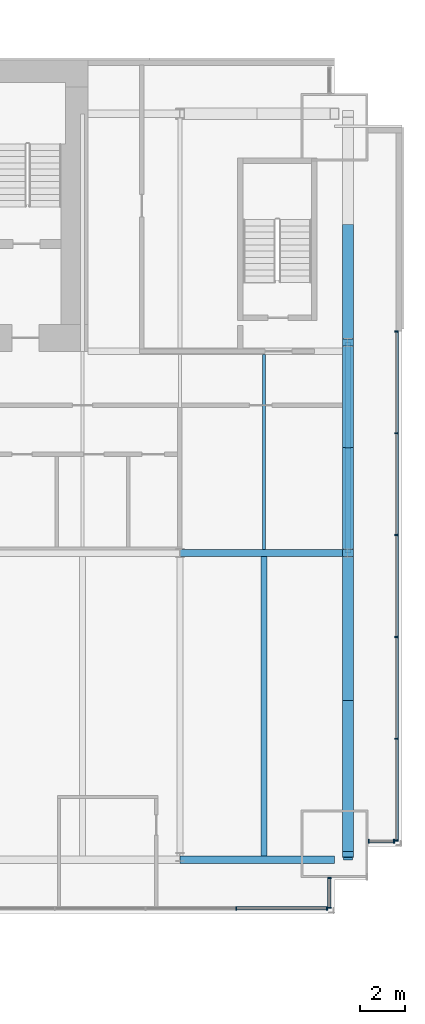
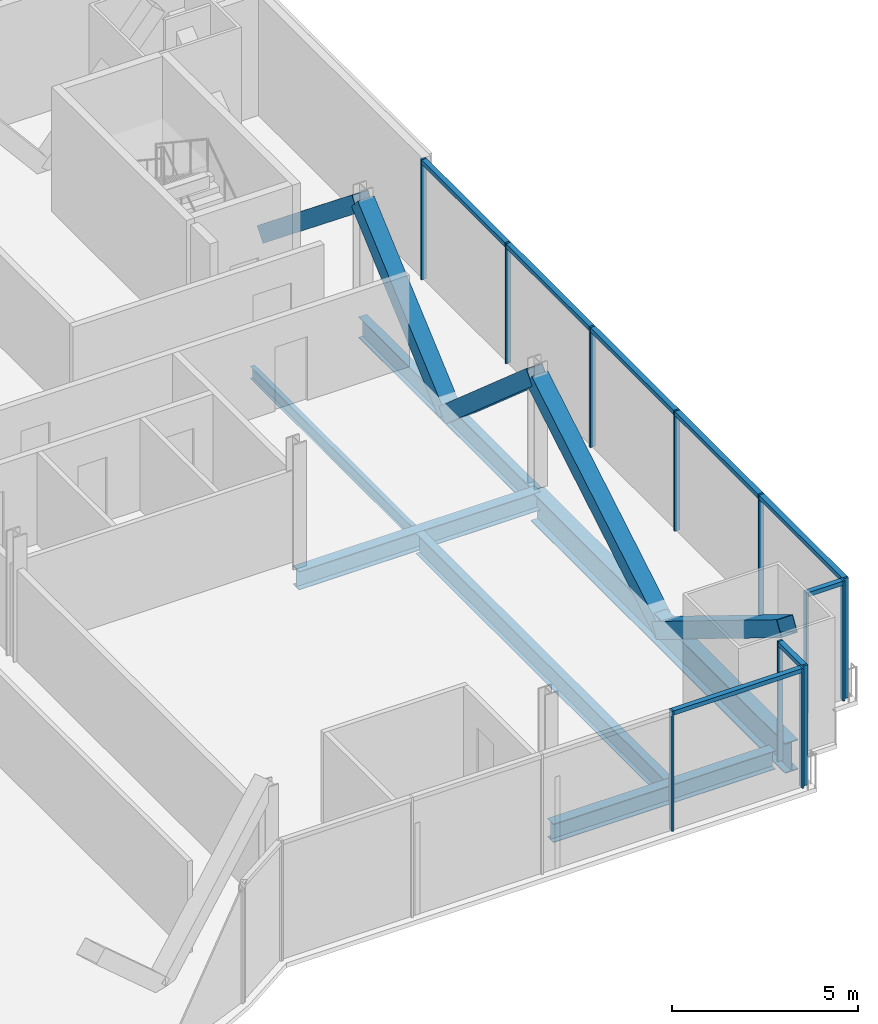
# One storey, part 12 of 21: 25 members, 6 beams, 4 elements without a shape of their own.
"""IFC4 building model written with IfcOpenShell, lengths in metres."""

from ifc_helpers import new_model, si_unit, direction, frame, origin, origin_2d, place, context, subcontext, project, spatial, rectangle, hollow_rectangle, i_section, extrude, material, material_profile, profile_set, type_object, element, aggregate, save


model = new_model("IFC4")

# Units and contexts
model_context = context("Model", 3, precision=1e-05, world=origin(), true_north=direction((0.0, 1.0)))
body_context = subcontext(model_context, "Body", "Model", "MODEL_VIEW")
ifc_project = project(units=[si_unit("LENGTHUNIT", "METRE"), si_unit("AREAUNIT", "SQUARE_METRE"), si_unit("VOLUMEUNIT", "CUBIC_METRE"), si_unit("PLANEANGLEUNIT", "RADIAN"), si_unit("MASSUNIT", "GRAM", prefix="KILO")], contexts=[model_context])

# Site, building, storey
site_placement = place(None, origin())
site = spatial("IfcSite", under=ifc_project, at=site_placement, CompositionType="ELEMENT")
building_placement = place(site_placement, origin())
building = spatial("IfcBuilding", under=site, at=building_placement, Name="Bicima Exchange Tower", CompositionType="ELEMENT")
storey_placement = place(building_placement, frame((0.0, 0.0, 106.300048828125)))
storey = spatial("IfcBuildingStorey", under=building, at=storey_placement, Name="L22", CompositionType="ELEMENT", Elevation=106.300048828125)

# Curtain wall, members
ifc_material_1 = material(Name="Anodised bronze aluminium", Category="aluminium")
curtain_wall_type_1 = type_object("IfcCurtainWallType", Name="End face glass wall", PredefinedType="NOTDEFINED", material=ifc_material_1)
curtain_wall_1_placement = place(storey_placement, origin())
curtain_wall_1 = element("IfcCurtainWall", 1, at=curtain_wall_1_placement, inside=storey, type_object=curtain_wall_type_1, Name="End face glass wall L22 run 19", PredefinedType="NOTDEFINED")
ifc_material_profile_1 = material_profile(ifc_material_1, rectangle(XDim=0.159912109375, YDim=0.06005859375, at=origin_2d()))
ifc_profile_set_1 = profile_set([ifc_material_profile_1], Name="Anodised bronze aluminium")
member_type_1 = type_object("IfcMemberType", Name="End face glass wall mullion 60 x 160", PredefinedType="MULLION", material=ifc_profile_set_1)
member_1_placement = place(storey_placement, frame((35.77001953125, -34.8359375, 0.0), z_axis=(0.0, 0.0, 1.0), x_axis=(-1.0, 0.0, 0.0)))
member_1 = element("IfcMember", 2, at=member_1_placement, type_object=member_type_1, Name="End face glass wall mullion 1", PredefinedType="MULLION", context=body_context, shape_type="SweptSolid", body=[
    extrude(rectangle(XDim=0.159912109375, YDim=0.06005859375, at=origin_2d()), origin(), (0.0, 0.0, 1.0), 3.949951171875),
])
member_2_placement = place(storey_placement, frame((35.77001953125, -30.290771484375, 0.0), z_axis=(0.0, 0.0, 1.0), x_axis=(-1.0, 0.0, 0.0)))
member_2 = element("IfcMember", 3, at=member_2_placement, type_object=member_type_1, Name="End face glass wall mullion 2", PredefinedType="MULLION", context=body_context, shape_type="SweptSolid", body=[
    extrude(rectangle(XDim=0.159912109375, YDim=0.06005859375, at=origin_2d()), origin(), (0.0, 0.0, 1.0), 3.949951171875),
])
member_3_placement = place(storey_placement, frame((35.77001953125, -25.74560546875, 0.0), z_axis=(0.0, 0.0, 1.0), x_axis=(-1.0, 0.0, 0.0)))
member_3 = element("IfcMember", 4, at=member_3_placement, type_object=member_type_1, Name="End face glass wall mullion 3", PredefinedType="MULLION", context=body_context, shape_type="SweptSolid", body=[
    extrude(rectangle(XDim=0.159912109375, YDim=0.06005859375, at=origin_2d()), origin(), (0.0, 0.0, 1.0), 3.949951171875),
])
member_4_placement = place(storey_placement, frame((35.77001953125, -21.200439453125, 0.0), z_axis=(0.0, 0.0, 1.0), x_axis=(-1.0, 0.0, 0.0)))
member_4 = element("IfcMember", 5, at=member_4_placement, type_object=member_type_1, Name="End face glass wall mullion 4", PredefinedType="MULLION", context=body_context, shape_type="SweptSolid", body=[
    extrude(rectangle(XDim=0.159912109375, YDim=0.06005859375, at=origin_2d()), origin(), (0.0, 0.0, 1.0), 3.949951171875),
])
member_5_placement = place(storey_placement, frame((35.77001953125, -16.6552734375, 0.0), z_axis=(0.0, 0.0, 1.0), x_axis=(-1.0, 0.0, 0.0)))
member_5 = element("IfcMember", 6, at=member_5_placement, type_object=member_type_1, Name="End face glass wall mullion 5", PredefinedType="MULLION", context=body_context, shape_type="SweptSolid", body=[
    extrude(rectangle(XDim=0.159912109375, YDim=0.06005859375, at=origin_2d()), origin(), (0.0, 0.0, 1.0), 3.949951171875),
])
member_6_placement = place(storey_placement, frame((35.77001953125, -12.110107421875, 0.0), z_axis=(0.0, 0.0, 1.0), x_axis=(-1.0, 0.0, 0.0)))
member_6 = element("IfcMember", 7, at=member_6_placement, type_object=member_type_1, Name="End face glass wall mullion 6", PredefinedType="MULLION", context=body_context, shape_type="SweptSolid", body=[
    extrude(rectangle(XDim=0.159912109375, YDim=0.06005859375, at=origin_2d()), origin(), (0.0, 0.0, 1.0), 3.949951171875),
])
ifc_material_profile_2 = material_profile(ifc_material_1, rectangle(XDim=0.159912109375, YDim=0.139892578125, at=origin_2d()))
ifc_profile_set_2 = profile_set([ifc_material_profile_2], Name="Anodised bronze aluminium")
member_type_2 = type_object("IfcMemberType", Name="End face glass wall transom 140 x 160", PredefinedType="USERDEFINED", material=ifc_profile_set_2)
member_7_placement = place(storey_placement, frame((35.77001953125, -34.805908203125, 3.8798828125), z_axis=(0.0, 1.0, 0.0), x_axis=(-1.0, 0.0, 0.0)))
member_7 = element("IfcMember", 8, at=member_7_placement, type_object=member_type_2, Name="End face glass wall transom 1.1", ObjectType="TRANSOM", PredefinedType="USERDEFINED", context=body_context, shape_type="SweptSolid", body=[
    extrude(rectangle(XDim=0.159912109375, YDim=0.139892578125, at=origin_2d()), origin(), (0.0, 0.0, 1.0), 4.485107421875),
])
member_8_placement = place(storey_placement, frame((35.77001953125, -30.2607421875, 3.8798828125), z_axis=(0.0, 1.0, 0.0), x_axis=(-1.0, 0.0, 0.0)))
member_8 = element("IfcMember", 9, at=member_8_placement, type_object=member_type_2, Name="End face glass wall transom 2.1", ObjectType="TRANSOM", PredefinedType="USERDEFINED", context=body_context, shape_type="SweptSolid", body=[
    extrude(rectangle(XDim=0.159912109375, YDim=0.139892578125, at=origin_2d()), origin(), (0.0, 0.0, 1.0), 4.485107421875),
])
member_9_placement = place(storey_placement, frame((35.77001953125, -25.715576171875, 3.8798828125), z_axis=(0.0, 1.0, 0.0), x_axis=(-1.0, 0.0, 0.0)))
member_9 = element("IfcMember", 10, at=member_9_placement, type_object=member_type_2, Name="End face glass wall transom 3.1", ObjectType="TRANSOM", PredefinedType="USERDEFINED", context=body_context, shape_type="SweptSolid", body=[
    extrude(rectangle(XDim=0.159912109375, YDim=0.139892578125, at=origin_2d()), origin(), (0.0, 0.0, 1.0), 4.485107421875),
])
member_10_placement = place(storey_placement, frame((35.77001953125, -21.17041015625, 3.8798828125), z_axis=(0.0, 1.0, 0.0), x_axis=(-1.0, 0.0, 0.0)))
member_10 = element("IfcMember", 11, at=member_10_placement, type_object=member_type_2, Name="End face glass wall transom 4.1", ObjectType="TRANSOM", PredefinedType="USERDEFINED", context=body_context, shape_type="SweptSolid", body=[
    extrude(rectangle(XDim=0.159912109375, YDim=0.139892578125, at=origin_2d()), origin(), (0.0, 0.0, 1.0), 4.485107421875),
])
member_11_placement = place(storey_placement, frame((35.77001953125, -16.625244140625, 3.8798828125), z_axis=(0.0, 1.0, 0.0), x_axis=(-1.0, 0.0, 0.0)))
member_11 = element("IfcMember", 12, at=member_11_placement, type_object=member_type_2, Name="End face glass wall transom 5.1", ObjectType="TRANSOM", PredefinedType="USERDEFINED", context=body_context, shape_type="SweptSolid", body=[
    extrude(rectangle(XDim=0.159912109375, YDim=0.139892578125, at=origin_2d()), origin(), (0.0, 0.0, 1.0), 4.4853515625),
])
aggregate(curtain_wall_1, [member_1, member_2, member_3, member_4, member_5, member_6, member_7, member_8, member_9, member_10, member_11])

# Beams
ifc_material_2 = material(Name="Steel ASTM A992 Gr 50", Category="steel")
ifc_material_profile_3 = material_profile(ifc_material_2, i_section(OverallWidth=0.256591796875, OverallDepth=0.693359375, WebThickness=0.014404296875, FlangeThickness=0.023681640625, at=origin_2d()))
ifc_profile_set_3 = profile_set([ifc_material_profile_3], Name="Steel ASTM A992 Gr 50")
beam_type_1 = type_object("IfcBeamType", Name="End girder W27x114", PredefinedType="BEAM", material=ifc_profile_set_3)
beam_1_placement = place(storey_placement, frame((33.60009765625, -12.60009765625, -0.496826171875), z_axis=(0.0, -1.0, 0.0), x_axis=(1.0, 0.0, 0.0)))
element("IfcBeam", 13, at=beam_1_placement, inside=storey, type_object=beam_type_1, Name="End girder", PredefinedType="BEAM", context=body_context, shape_type="SweptSolid", body=[
    extrude(i_section(OverallWidth=0.256591796875, OverallDepth=0.693359375, WebThickness=0.014404296875, FlangeThickness=0.023681640625, at=origin_2d()), origin(), (0.0, 0.0, 1.0), 9.39990234375),
])
ifc_material_profile_4 = material_profile(ifc_material_2, i_section(OverallWidth=0.4013671875, OverallDepth=0.990478515625, WebThickness=0.0166015625, FlangeThickness=0.031005859375, at=origin_2d()))
ifc_profile_set_4 = profile_set([ifc_material_profile_4], Name="Steel ASTM A992 Gr 50")
beam_type_2 = type_object("IfcBeamType", Name="End girder W40x215", PredefinedType="BEAM", material=ifc_profile_set_4)
beam_2_placement = place(storey_placement, frame((33.60009765625, -22.0, -0.645263671875), z_axis=(0.0, -1.0, 0.0), x_axis=(1.0, 0.0, 0.0)))
element("IfcBeam", 14, at=beam_2_placement, inside=storey, type_object=beam_type_2, Name="End girder", PredefinedType="BEAM", context=body_context, shape_type="SweptSolid", body=[
    extrude(i_section(OverallWidth=0.4013671875, OverallDepth=0.990478515625, WebThickness=0.0166015625, FlangeThickness=0.031005859375, at=origin_2d()), origin(), (0.0, 0.0, 1.0), 13.696044921875),
])
ifc_material_profile_5 = material_profile(ifc_material_2, i_section(OverallWidth=0.140380859375, OverallDepth=0.40380859375, WebThickness=0.007080078125, FlangeThickness=0.01123046875, at=origin_2d()))
ifc_profile_set_5 = profile_set([ifc_material_profile_5], Name="Steel ASTM A992 Gr 50")
beam_type_3 = type_object("IfcBeamType", Name="Floor beam W16x31", PredefinedType="JOIST", material=ifc_profile_set_5)
beam_3_placement = place(storey_placement, frame((29.85009765625, -13.15234375, -0.35205078125), z_axis=(0.0, -1.0, 0.0), x_axis=(1.0, 0.0, 0.0)))
element("IfcBeam", 15, at=beam_3_placement, inside=storey, type_object=beam_type_3, Name="Floor beam", PredefinedType="JOIST", context=body_context, shape_type="SweptSolid", body=[
    extrude(i_section(OverallWidth=0.140380859375, OverallDepth=0.40380859375, WebThickness=0.007080078125, FlangeThickness=0.01123046875, at=origin_2d()), origin(), (0.0, 0.0, 1.0), 8.68505859375),
])
ifc_material_profile_6 = material_profile(ifc_material_2, i_section(OverallWidth=0.25390625, OverallDepth=0.67822265625, WebThickness=0.01171875, FlangeThickness=0.016357421875, at=origin_2d()))
ifc_profile_set_6 = profile_set([ifc_material_profile_6], Name="Steel ASTM A992 Gr 50")
beam_type_4 = type_object("IfcBeamType", Name="Floor beam W27x84", PredefinedType="JOIST", material=ifc_profile_set_6)
beam_4_placement = place(storey_placement, frame((29.85009765625, -22.16259765625, -0.4892578125), z_axis=(0.0, -1.0, 0.0), x_axis=(1.0, 0.0, 0.0)))
element("IfcBeam", 16, at=beam_4_placement, inside=storey, type_object=beam_type_4, Name="Floor beam", PredefinedType="JOIST", context=body_context, shape_type="SweptSolid", body=[
    extrude(i_section(OverallWidth=0.25390625, OverallDepth=0.67822265625, WebThickness=0.01171875, FlangeThickness=0.016357421875, at=origin_2d()), origin(), (0.0, 0.0, 1.0), 13.370849609375),
])
ifc_material_profile_7 = material_profile(ifc_material_2, i_section(OverallWidth=0.3251953125, OverallDepth=0.612060546875, WebThickness=0.0126953125, FlangeThickness=0.01904296875, at=origin_2d()))
ifc_profile_set_7 = profile_set([ifc_material_profile_7], Name="Steel ASTM A992 Gr 50")
beam_type_5 = type_object("IfcBeamType", Name="Front girder W24x104", PredefinedType="BEAM", material=ifc_profile_set_7)
beam_5_placement = place(storey_placement, frame((26.10009765625, -35.696044921875, -0.4560546875), z_axis=(1.0, 0.0, 0.0), x_axis=(0.0, 1.0, 0.0)))
element("IfcBeam", 17, at=beam_5_placement, inside=storey, type_object=beam_type_5, Name="Front girder", PredefinedType="BEAM", context=body_context, shape_type="SweptSolid", body=[
    extrude(i_section(OverallWidth=0.3251953125, OverallDepth=0.612060546875, WebThickness=0.0126953125, FlangeThickness=0.01904296875, at=origin_2d()), origin(), (0.0, 0.0, 1.0), 6.89990234375),
])

# Curtain wall, members
curtain_wall_type_2 = type_object("IfcCurtainWallType", Name="Front glass wall", PredefinedType="NOTDEFINED", material=ifc_material_1)
curtain_wall_2_placement = place(storey_placement, origin())
curtain_wall_2 = element("IfcCurtainWall", 18, at=curtain_wall_2_placement, inside=storey, type_object=curtain_wall_type_2, Name="Front glass wall L22 run 16", PredefinedType="NOTDEFINED")
member_type_3 = type_object("IfcMemberType", Name="Front glass wall mullion 60 x 160", PredefinedType="MULLION", material=ifc_profile_set_1)
member_12_placement = place(storey_placement, frame((28.610595703125, -37.865966796875, 0.0), z_axis=(0.0, 0.0, 1.0), x_axis=(0.0, 1.0, 0.0)))
member_12 = element("IfcMember", 19, at=member_12_placement, type_object=member_type_3, Name="Front glass wall mullion 4", PredefinedType="MULLION", context=body_context, shape_type="SweptSolid", body=[
    extrude(rectangle(XDim=0.159912109375, YDim=0.06005859375, at=origin_2d()), origin(), (0.0, 0.0, 1.0), 3.949951171875),
])
member_13_placement = place(storey_placement, frame((32.659912109375, -37.865966796875, 0.0), z_axis=(0.0, 0.0, 1.0), x_axis=(0.0, 1.0, 0.0)))
member_13 = element("IfcMember", 20, at=member_13_placement, type_object=member_type_3, Name="Front glass wall mullion 5", PredefinedType="MULLION", context=body_context, shape_type="SweptSolid", body=[
    extrude(rectangle(XDim=0.159912109375, YDim=0.06005859375, at=origin_2d()), origin(), (0.0, 0.0, 1.0), 3.949951171875),
])

curtain_wall_3_placement = place(storey_placement, origin())
curtain_wall_3 = element("IfcCurtainWall", 21, at=curtain_wall_3_placement, inside=storey, type_object=curtain_wall_type_2, Name="Front glass wall L22 run 17", PredefinedType="NOTDEFINED")
member_14_placement = place(storey_placement, frame((32.77001953125, -37.8359375, 0.0), z_axis=(0.0, 0.0, 1.0), x_axis=(-1.0, 0.0, 0.0)))
member_14 = element("IfcMember", 22, at=member_14_placement, type_object=member_type_3, Name="Front glass wall mullion 1", PredefinedType="MULLION", context=body_context, shape_type="SweptSolid", body=[
    extrude(rectangle(XDim=0.159912109375, YDim=0.06005859375, at=origin_2d()), origin(), (0.0, 0.0, 1.0), 3.949951171875),
])
member_15_placement = place(storey_placement, frame((32.77001953125, -36.50390625, 0.0), z_axis=(0.0, 0.0, 1.0), x_axis=(-1.0, 0.0, 0.0)))
member_15 = element("IfcMember", 23, at=member_15_placement, type_object=member_type_3, Name="Front glass wall mullion 2", PredefinedType="MULLION", context=body_context, shape_type="SweptSolid", body=[
    extrude(rectangle(XDim=0.159912109375, YDim=0.06005859375, at=origin_2d()), origin(), (0.0, 0.0, 1.0), 3.949951171875),
])

curtain_wall_4_placement = place(storey_placement, origin())
curtain_wall_4 = element("IfcCurtainWall", 24, at=curtain_wall_4_placement, inside=storey, type_object=curtain_wall_type_2, Name="Front glass wall L22 run 18", PredefinedType="NOTDEFINED")
member_16_placement = place(storey_placement, frame((34.530029296875, -34.865966796875, 0.0), z_axis=(0.0, 0.0, 1.0), x_axis=(0.0, 1.0, 0.0)))
member_16 = element("IfcMember", 25, at=member_16_placement, type_object=member_type_3, Name="Front glass wall mullion 1", PredefinedType="MULLION", context=body_context, shape_type="SweptSolid", body=[
    extrude(rectangle(XDim=0.159912109375, YDim=0.06005859375, at=origin_2d()), origin(), (0.0, 0.0, 1.0), 3.949951171875),
])
member_17_placement = place(storey_placement, frame((35.659912109375, -34.865966796875, 0.0), z_axis=(0.0, 0.0, 1.0), x_axis=(0.0, 1.0, 0.0)))
member_17 = element("IfcMember", 26, at=member_17_placement, type_object=member_type_3, Name="Front glass wall mullion 2", PredefinedType="MULLION", context=body_context, shape_type="SweptSolid", body=[
    extrude(rectangle(XDim=0.159912109375, YDim=0.06005859375, at=origin_2d()), origin(), (0.0, 0.0, 1.0), 3.949951171875),
])

# Member
member_type_4 = type_object("IfcMemberType", Name="Front glass wall transom 140 x 160", PredefinedType="USERDEFINED", material=ifc_profile_set_2)
member_18_placement = place(storey_placement, frame((28.640380859375, -37.865966796875, 3.8798828125), z_axis=(1.0, 0.0, 0.0), x_axis=(0.0, 1.0, 0.0)))
member_18 = element("IfcMember", 27, at=member_18_placement, type_object=member_type_4, Name="Front glass wall transom 4.1", ObjectType="TRANSOM", PredefinedType="USERDEFINED", context=body_context, shape_type="SweptSolid", body=[
    extrude(rectangle(XDim=0.159912109375, YDim=0.139892578125, at=origin_2d()), origin(), (0.0, 0.0, 1.0), 3.989501953125),
])

aggregate(curtain_wall_2, [member_12, member_13, member_18])

member_19_placement = place(storey_placement, frame((32.77001953125, -37.805908203125, 3.8798828125), z_axis=(0.0, 1.0, 0.0), x_axis=(-1.0, 0.0, 0.0)))
member_19 = element("IfcMember", 28, at=member_19_placement, type_object=member_type_4, Name="Front glass wall transom 1.1", ObjectType="TRANSOM", PredefinedType="USERDEFINED", context=body_context, shape_type="SweptSolid", body=[
    extrude(rectangle(XDim=0.159912109375, YDim=0.139892578125, at=origin_2d()), origin(), (0.0, 0.0, 1.0), 1.27197265625),
])

aggregate(curtain_wall_3, [member_14, member_15, member_19])

member_20_placement = place(storey_placement, frame((34.56005859375, -34.865966796875, 3.8798828125), z_axis=(1.0, 0.0, 0.0), x_axis=(0.0, 1.0, 0.0)))
member_20 = element("IfcMember", 29, at=member_20_placement, type_object=member_type_4, Name="Front glass wall transom 1.1", ObjectType="TRANSOM", PredefinedType="USERDEFINED", context=body_context, shape_type="SweptSolid", body=[
    extrude(rectangle(XDim=0.159912109375, YDim=0.139892578125, at=origin_2d()), origin(), (0.0, 0.0, 1.0), 1.06982421875),
])

aggregate(curtain_wall_4, [member_16, member_17, member_20])

# Members
ifc_material_3 = material(Name="Steel ASTM A572 Gr 50", Category="steel")
ifc_material_profile_8 = material_profile(ifc_material_3, hollow_rectangle(XDim=0.508056640625, YDim=0.508056640625, WallThickness=0.0146484375, at=origin_2d()))
ifc_profile_set_8 = profile_set([ifc_material_profile_8], Name="Steel ASTM A572 Gr 50")
member_type_5 = type_object("IfcMemberType", Name="Mega brace HSS20x20x5/8", PredefinedType="BRACE", material=ifc_profile_set_8)
member_21_placement = place(storey_placement, frame((33.60009765625, -7.5, -0.496826171875), z_axis=(0.0, -0.779374241895, 0.626558689247), x_axis=(1.0, 0.0, 0.0)))
element("IfcMember", 30, at=member_21_placement, inside=storey, type_object=member_type_5, Name="Mega brace east end", PredefinedType="BRACE", context=body_context, shape_type="SweptSolid", body=[
    extrude(hollow_rectangle(XDim=0.508056640625, YDim=0.508056640625, WallThickness=0.0146484375, at=origin_2d()), origin(), (0.0, 0.0, 1.0), 6.5439453125),
])
for number, where, z_axis, x_axis, name in (
    (31, (33.60009765625, -17.300048828125, -0.496826171875), (0.0, -0.753557917662, 0.657381521439), (1.0, 0.0, 0.0), "Mega brace east end"),
    (32, (33.60009765625, -17.300048828125, -0.496826171875), (0.0, 0.753557917662, 0.657381521439), (-1.0, 0.0, 0.0), "Mega brace east end"),
):
    element("IfcMember", number, at=place(storey_placement, frame(where, z_axis=z_axis, x_axis=x_axis)), inside=storey, type_object=member_type_5, Name=name, PredefinedType="BRACE", context=body_context, shape_type="SweptSolid", body=[
        extrude(hollow_rectangle(XDim=0.508056640625, YDim=0.508056640625, WallThickness=0.0146484375, at=origin_2d()), origin(), (0.0, 0.0, 1.0), 6.237060546875),
    ])
member_22_placement = place(storey_placement, frame((33.60009765625, -28.72607421875, -0.645263671875), z_axis=(0.0, -0.851633903463, 0.524137095111), x_axis=(1.0, 0.0, 0.0)))
element("IfcMember", 33, at=member_22_placement, inside=storey, type_object=member_type_5, Name="Mega brace east end", PredefinedType="BRACE", context=body_context, shape_type="SweptSolid", body=[
    extrude(hollow_rectangle(XDim=0.508056640625, YDim=0.508056640625, WallThickness=0.0146484375, at=origin_2d()), origin(), (0.0, 0.0, 1.0), 7.8974609375),
])
member_23_placement = place(storey_placement, frame((33.60009765625, -28.969970703125, -0.645263671875), z_axis=(0.0, 0.859801442396, 0.510628514337), x_axis=(-1.0, 0.0, 0.0)))
element("IfcMember", 34, at=member_23_placement, inside=storey, type_object=member_type_5, Name="Mega brace east end", PredefinedType="BRACE", context=body_context, shape_type="SweptSolid", body=[
    extrude(hollow_rectangle(XDim=0.508056640625, YDim=0.508056640625, WallThickness=0.0146484375, at=origin_2d()), origin(), (0.0, 0.0, 1.0), 8.1064453125),
])

# Beam
beam_type_6 = type_object("IfcBeamType", Name="Row girder W24x104", PredefinedType="BEAM", material=ifc_profile_set_7)
beam_6_placement = place(storey_placement, frame((26.10009765625, -22.0, -0.4560546875), z_axis=(1.0, 0.0, 0.0), x_axis=(0.0, 1.0, 0.0)))
element("IfcBeam", 35, at=beam_6_placement, inside=storey, type_object=beam_type_6, Name="Row girder", PredefinedType="BEAM", context=body_context, shape_type="SweptSolid", body=[
    extrude(i_section(OverallWidth=0.3251953125, OverallDepth=0.612060546875, WebThickness=0.0126953125, FlangeThickness=0.01904296875, at=origin_2d()), origin(), (0.0, 0.0, 1.0), 7.5),
])

save(model, "model.ifc")
